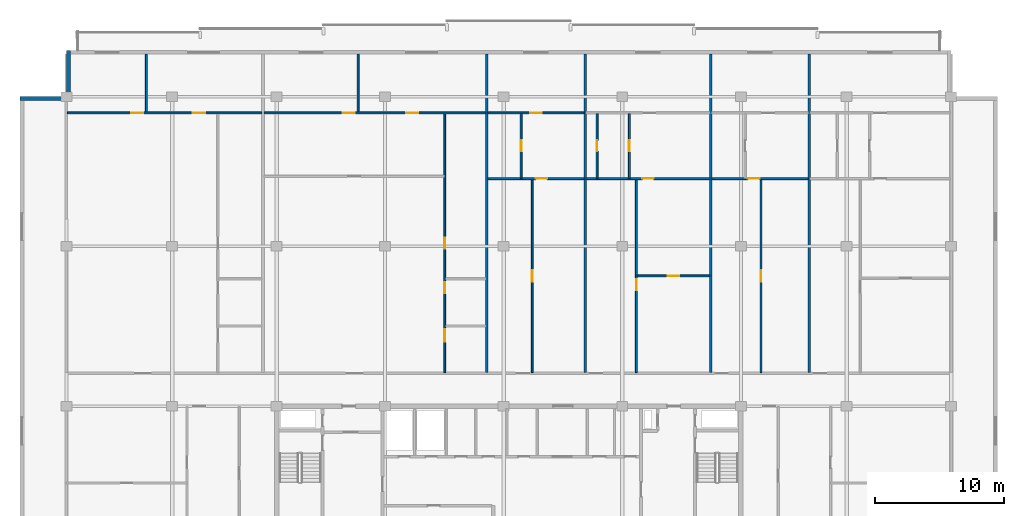
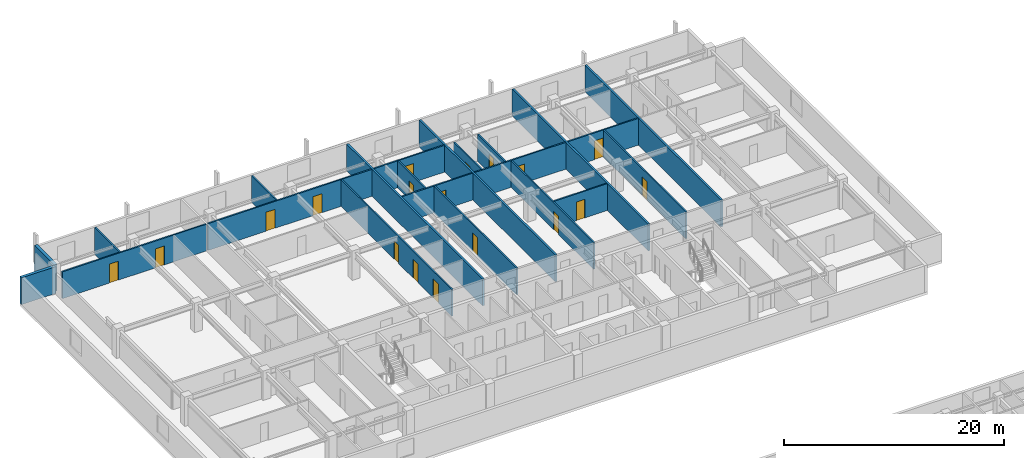
# One storey, part 13 of 21: 22 walls, 18 doors, 18 openings.
"""IFC4 building model written with IfcOpenShell, lengths in metres."""

from ifc_helpers import new_model, si_unit, direction, frame, frame_2d, origin, place, context, subcontext, project, spatial, rectangle, extrude, material, layer, layer_set, type_object, element, fill, save


model = new_model("IFC4")

# Units and contexts
model_context = context("Model", 3, precision=1e-05, world=origin(), true_north=direction((0.0, 1.0)))
body_context = subcontext(model_context, "Body", "Model", "MODEL_VIEW")
ifc_project = project(units=[si_unit("LENGTHUNIT", "METRE"), si_unit("AREAUNIT", "SQUARE_METRE"), si_unit("VOLUMEUNIT", "CUBIC_METRE"), si_unit("PLANEANGLEUNIT", "RADIAN"), si_unit("MASSUNIT", "GRAM", prefix="KILO")], contexts=[model_context])

# Site, building, storey
site_placement = place(None, origin())
site = spatial("IfcSite", under=ifc_project, at=site_placement, CompositionType="ELEMENT")
building_placement = place(site_placement, origin())
building = spatial("IfcBuilding", under=site, at=building_placement, Name="Korimba Cascade Residences", CompositionType="ELEMENT")
storey_placement = place(building_placement, frame((0.0, 0.0, 171.85009765625)))
storey = spatial("IfcBuildingStorey", under=building, at=storey_placement, Name="L49", CompositionType="ELEMENT", Elevation=171.85009765625)

# Walls
ifc_material_1 = material(Name="Precast concrete C40/50", Category="concrete")
ifc_layer_1 = layer(ifc_material_1, 0.300048828125)
ifc_layer_set_1 = layer_set([ifc_layer_1], Name="Precast concrete C40/50")
wall_type_1 = type_object("IfcWallType", Name="EW-STONE-300", PredefinedType="STANDARD", material=ifc_layer_set_1)
for number, where, z_axis, x_axis, name in (
    (1, (59.949951171875, 94.800048828125, 0.0), (0.0, 0.0, 1.0), (0.0, -1.0, 0.0), "L49 T1 Perimeter Stone Wall E07"),
    (2, (59.800048828125, 91.050048828125, 0.0), (0.0, 0.0, 1.0), (-1.0, 0.0, 0.0), "L49 T1 Perimeter Stone Wall E08"),
):
    element("IfcWall", number, at=place(storey_placement, frame(where, z_axis=z_axis, x_axis=x_axis)), inside=storey, type_object=wall_type_1, Name=name, PredefinedType="STANDARD", context=body_context, shape_type="SweptSolid", body=[
        extrude(rectangle(XDim=3.60009765625, YDim=0.300048828125, at=frame_2d((1.800048828125, 0.0))), origin(), (0.0, 0.0, 1.0), 2.969970703125),
    ])
ifc_layer_2 = layer(ifc_material_1, 0.199951171875)
ifc_layer_set_2 = layer_set([ifc_layer_2], Name="Precast concrete C40/50")
wall_type_2 = type_object("IfcWallType", Name="WAL-IT-200", PredefinedType="PARTITIONING", material=ifc_layer_set_2)
for number, where, z_axis, x_axis, name in (
    (3, (92.40478515625, 69.830078125, 0.0), (0.0, 0.0, 1.0), (0.0, 1.0, 0.0), "L49 Partition Wall WAL-L49-T1-DEM-2"),
    (4, (100.023681640625, 69.830078125, 0.0), (0.0, 0.0, 1.0), (0.0, 1.0, 0.0), "L49 Partition Wall WAL-L49-T1-DEM-3"),
    (5, (109.764892578125, 69.830078125, 0.0), (0.0, 0.0, 1.0), (0.0, 1.0, 0.0), "L49 Partition Wall WAL-L49-T1-DEM-4"),
    (6, (117.3837890625, 69.830078125, 0.0), (0.0, 0.0, 1.0), (0.0, 1.0, 0.0), "L49 Partition Wall WAL-L49-T1-DEM-5"),
):
    element("IfcWall", number, at=place(storey_placement, frame(where, z_axis=z_axis, x_axis=x_axis)), inside=storey, type_object=wall_type_2, Name=name, PredefinedType="PARTITIONING", context=body_context, shape_type="SweptSolid", body=[
        extrude(rectangle(XDim=24.669921875, YDim=0.199951171875, at=frame_2d((12.3349609375, 0.0))), origin(), (0.0, 0.0, 1.0), 2.969970703125),
    ])
ifc_material_2 = material(Name="Insulated Acoustic Stud Partition", Category="gypsum")
ifc_layer_3 = layer(ifc_material_2, 0.14990234375)
ifc_layer_set_3 = layer_set([ifc_layer_3], Name="Insulated Acoustic Stud Partition")
wall_type_3 = type_object("IfcWallType", Name="WAL-PART-150", PredefinedType="PARTITIONING", material=ifc_layer_set_3)
wall_1_placement = place(storey_placement, frame((66.000732421875, 90.030029296875, 0.0), z_axis=(0.0, 0.0, 1.0), x_axis=(0.0, 1.0, 0.0)))
element("IfcWall", 7, at=wall_1_placement, inside=storey, type_object=wall_type_3, Name="L49 Partition Wall WAL-L49-T1-U01-OUTV", PredefinedType="PARTITIONING", context=body_context, shape_type="SweptSolid", body=[
    extrude(rectangle(XDim=4.469970703125, YDim=0.14990234375, at=frame_2d((2.23486328125, 0.0))), origin(), (0.0, 0.0, 1.0), 2.969970703125),
])

# Wall, openings, doors
wall_2_placement = place(storey_placement, frame((59.8798828125, 89.949951171875, 0.0), z_axis=(0.0, 0.0, 1.0), x_axis=(1.0, 0.0, 0.0)))
wall_2 = element("IfcWall", 8, at=wall_2_placement, inside=storey, type_object=wall_type_3, Name="L49 Partition Wall WAL-L49-T1-U01-HZ", PredefinedType="PARTITIONING", context=body_context, shape_type="SweptSolid", body=[
    extrude(rectangle(XDim=15.08154296875, YDim=0.14990234375, at=frame_2d((7.540771484375, 0.0))), origin(), (0.0, 0.0, 1.0), 2.969970703125),
])
opening_1_placement = place(wall_2_placement, frame((4.9306640625, 0.0, 0.0)))
opening_1 = element("IfcOpeningElement", 9, at=opening_1_placement, cuts=wall_2, Name="Opening D-IN0", PredefinedType="OPENING", context=body_context, shape_type="SweptSolid", body=[
    extrude(rectangle(XDim=0.93994140625, YDim=2.10009765625, at=frame_2d((0.469970703125, 1.050048828125))), frame((0.0, 0.0849609375, 0.0), z_axis=(0.0, -1.0, 0.0), x_axis=(1.0, 0.0, 0.0)), (0.0, 0.0, 1.0), 0.169921875),
])
opening_2_placement = place(wall_2_placement, frame((9.7333984375, 0.0, 0.0)))
opening_2 = element("IfcOpeningElement", 10, at=opening_2_placement, cuts=wall_2, Name="Opening D-IN0", PredefinedType="OPENING", context=body_context, shape_type="SweptSolid", body=[
    extrude(rectangle(XDim=0.93994140625, YDim=2.10009765625, at=frame_2d((0.469970703125, 1.050048828125))), frame((0.0, 0.0849609375, 0.0), z_axis=(0.0, -1.0, 0.0), x_axis=(1.0, 0.0, 0.0)), (0.0, 0.0, 1.0), 0.169921875),
])
ifc_material_3 = material(Name="Acoustic Timber Living Archway Door", Category="wood")
door_type_1 = type_object("IfcDoorType", Name="DR-INT-950", OperationType="NOTDEFINED", PredefinedType="DOOR", material=ifc_material_3)
door_1_placement = place(opening_1_placement, origin())
door_1 = element("IfcDoor", 11, at=door_1_placement, inside=storey, type_object=door_type_1, Name="L49-T1-U01 Executive Co-Working Office Door", OperationType="SINGLE_SWING_RIGHT", OverallHeight=2.10009765625, OverallWidth=0.93994140625, PredefinedType="DOOR", context=body_context, shape_type="SweptSolid", body=[
    extrude(rectangle(XDim=0.93994140625, YDim=2.10009765625, at=frame_2d((0.469970703125, 1.050048828125))), frame((0.0, 0.02490234375, 0.0), z_axis=(0.0, -1.0, 0.0), x_axis=(1.0, 0.0, 0.0)), (0.0, 0.0, 1.0), 0.050048828125),
])
fill(opening_1, door_1)
door_2_placement = place(opening_2_placement, origin())
door_2 = element("IfcDoor", 12, at=door_2_placement, inside=storey, type_object=door_type_1, Name="L49-T1-U01 Focus Workstation Office Door", OperationType="SINGLE_SWING_LEFT", OverallHeight=2.10009765625, OverallWidth=0.93994140625, PredefinedType="DOOR", context=body_context, shape_type="SweptSolid", body=[
    extrude(rectangle(XDim=0.93994140625, YDim=2.10009765625, at=frame_2d((0.469970703125, 1.050048828125))), frame((0.0, 0.02490234375, 0.0), z_axis=(0.0, -1.0, 0.0), x_axis=(1.0, 0.0, 0.0)), (0.0, 0.0, 1.0), 0.050048828125),
])
fill(opening_2, door_2)

wall_3_placement = place(storey_placement, frame((89.134765625, 69.81005859375, 0.0), z_axis=(0.0, 0.0, 1.0), x_axis=(0.0, 1.0, 0.0)))
wall_3 = element("IfcWall", 13, at=wall_3_placement, inside=storey, type_object=wall_type_3, Name="L49 Partition Wall WAL-L49-T1-U02-WCV", PredefinedType="PARTITIONING", context=body_context, shape_type="SweptSolid", body=[
    extrude(rectangle(XDim=20.079833984375, YDim=0.14990234375, at=frame_2d((10.0400390625, 0.0))), origin(), (0.0, 0.0, 1.0), 2.969970703125),
])
opening_3_placement = place(wall_3_placement, frame((2.406005859375, 0.0, 0.0)))
opening_3 = element("IfcOpeningElement", 14, at=opening_3_placement, cuts=wall_3, Name="Opening D-AC1", PredefinedType="OPENING", context=body_context, shape_type="SweptSolid", body=[
    extrude(rectangle(XDim=0.9599609375, YDim=2.10009765625, at=frame_2d((0.47998046875, 1.050048828125))), frame((0.0, 0.0849609375, 0.0), z_axis=(0.0, -1.0, 0.0), x_axis=(1.0, 0.0, 0.0)), (0.0, 0.0, 1.0), 0.169921875),
])
opening_4_placement = place(wall_3_placement, frame((6.132568359375, 0.0, 0.0)))
opening_4 = element("IfcOpeningElement", 15, at=opening_4_placement, cuts=wall_3, Name="Opening D-IN2", PredefinedType="OPENING", context=body_context, shape_type="SweptSolid", body=[
    extrude(rectangle(XDim=0.8798828125, YDim=2.06005859375, at=frame_2d((0.43994140625, 1.030029296875))), frame((0.0, 0.0849609375, 0.0), z_axis=(0.0, -1.0, 0.0), x_axis=(1.0, 0.0, 0.0)), (0.0, 0.0, 1.0), 0.169921875),
])
opening_5_placement = place(wall_3_placement, frame((9.6201171875, 0.0, 0.0)))
opening_5 = element("IfcOpeningElement", 16, at=opening_5_placement, cuts=wall_3, Name="Opening D-BT1", PredefinedType="OPENING", context=body_context, shape_type="SweptSolid", body=[
    extrude(rectangle(XDim=0.840087890625, YDim=2.0400390625, at=frame_2d((0.419921875, 1.02001953125))), frame((0.0, 0.0849609375, 0.0), z_axis=(0.0, -1.0, 0.0), x_axis=(1.0, 0.0, 0.0)), (0.0, 0.0, 1.0), 0.169921875),
])
ifc_material_4 = material(Name="Accessible Acoustic Timber WC Door", Category="wood")
door_type_2 = type_object("IfcDoorType", Name="DR-ACC-950", OperationType="NOTDEFINED", PredefinedType="DOOR", material=ifc_material_4)
door_3_placement = place(opening_3_placement, origin())
door_3 = element("IfcDoor", 17, at=door_3_placement, inside=storey, type_object=door_type_2, Name="L49-T1-U02 Accessible WC Door", OperationType="SINGLE_SWING_LEFT", OverallHeight=2.10009765625, OverallWidth=0.9599609375, PredefinedType="DOOR", context=body_context, shape_type="SweptSolid", body=[
    extrude(rectangle(XDim=0.9599609375, YDim=2.10009765625, at=frame_2d((0.47998046875, 1.050048828125))), frame((0.0, 0.02490234375, 0.0), z_axis=(0.0, -1.0, 0.0), x_axis=(1.0, 0.0, 0.0)), (0.0, 0.0, 1.0), 0.050048828125),
])
fill(opening_3, door_3)
ifc_material_5 = material(Name="Moisture-Resistant Bathroom Timber Door", Category="wood")
door_type_3 = type_object("IfcDoorType", Name="DR-INT-850", OperationType="NOTDEFINED", PredefinedType="DOOR", material=ifc_material_5)
door_4_placement = place(opening_5_placement, origin())
door_4 = element("IfcDoor", 18, at=door_4_placement, inside=storey, type_object=door_type_3, Name="L49-T1-U02 Suite Store Door", OperationType="SINGLE_SWING_LEFT", OverallHeight=2.0400390625, OverallWidth=0.840087890625, PredefinedType="DOOR", context=body_context, shape_type="SweptSolid", body=[
    extrude(rectangle(XDim=0.840087890625, YDim=2.0400390625, at=frame_2d((0.419921875, 1.02001953125))), frame((0.0, 0.02490234375, 0.0), z_axis=(0.0, -1.0, 0.0), x_axis=(1.0, 0.0, 0.0)), (0.0, 0.0, 1.0), 0.050048828125),
])
fill(opening_5, door_4)
ifc_material_6 = material(Name="Acoustic Timber Bedroom Door", Category="wood")
door_type_4 = type_object("IfcDoorType", Name="DR-INT-880", OperationType="NOTDEFINED", PredefinedType="DOOR", material=ifc_material_6)
door_5_placement = place(opening_4_placement, origin())
door_5 = element("IfcDoor", 19, at=door_5_placement, inside=storey, type_object=door_type_4, Name="L49-T1-U02 Restroom WC Door", OperationType="SINGLE_SWING_RIGHT", OverallHeight=2.06005859375, OverallWidth=0.8798828125, PredefinedType="DOOR", context=body_context, shape_type="SweptSolid", body=[
    extrude(rectangle(XDim=0.8798828125, YDim=2.06005859375, at=frame_2d((0.43994140625, 1.030029296875))), frame((0.0, 0.02490234375, 0.0), z_axis=(0.0, -1.0, 0.0), x_axis=(1.0, 0.0, 0.0)), (0.0, 0.0, 1.0), 0.050048828125),
])
fill(opening_4, door_5)

# Wall
wall_4_placement = place(storey_placement, frame((82.41796875, 90.030029296875, 0.0), z_axis=(0.0, 0.0, 1.0), x_axis=(0.0, 1.0, 0.0)))
element("IfcWall", 20, at=wall_4_placement, inside=storey, type_object=wall_type_3, Name="L49 Partition Wall WAL-L49-T1-U02-OUTV", PredefinedType="PARTITIONING", context=body_context, shape_type="SweptSolid", body=[
    extrude(rectangle(XDim=4.469970703125, YDim=0.14990234375, at=frame_2d((2.23486328125, 0.0))), origin(), (0.0, 0.0, 1.0), 2.969970703125),
])

# Wall, openings, doors
wall_5_placement = place(storey_placement, frame((75.121337890625, 89.949951171875, 0.0), z_axis=(0.0, 0.0, 1.0), x_axis=(1.0, 0.0, 0.0)))
wall_5 = element("IfcWall", 21, at=wall_5_placement, inside=storey, type_object=wall_type_3, Name="L49 Partition Wall WAL-L49-T1-U02-HZ", PredefinedType="PARTITIONING", context=body_context, shape_type="SweptSolid", body=[
    extrude(rectangle(XDim=17.203369140625, YDim=0.14990234375, at=frame_2d((8.6015625, 0.0))), origin(), (0.0, 0.0, 1.0), 2.969970703125),
])
opening_6_placement = place(wall_5_placement, frame((6.106689453125, 0.0, 0.0)))
opening_6 = element("IfcOpeningElement", 22, at=opening_6_placement, cuts=wall_5, Name="Opening D-IN0", PredefinedType="OPENING", context=body_context, shape_type="SweptSolid", body=[
    extrude(rectangle(XDim=0.93994140625, YDim=2.10009765625, at=frame_2d((0.469970703125, 1.050048828125))), frame((0.0, 0.0849609375, 0.0), z_axis=(0.0, -1.0, 0.0), x_axis=(1.0, 0.0, 0.0)), (0.0, 0.0, 1.0), 0.169921875),
])
opening_7_placement = place(wall_5_placement, frame((11.029296875, 0.0, 0.0)))
opening_7 = element("IfcOpeningElement", 23, at=opening_7_placement, cuts=wall_5, Name="Opening D-IN0", PredefinedType="OPENING", context=body_context, shape_type="SweptSolid", body=[
    extrude(rectangle(XDim=0.93994140625, YDim=2.10009765625, at=frame_2d((0.469970703125, 1.050048828125))), frame((0.0, 0.0849609375, 0.0), z_axis=(0.0, -1.0, 0.0), x_axis=(1.0, 0.0, 0.0)), (0.0, 0.0, 1.0), 0.169921875),
])
door_6_placement = place(opening_6_placement, origin())
door_6 = element("IfcDoor", 24, at=door_6_placement, inside=storey, type_object=door_type_1, Name="L49-T1-U02 Hydrotherapy Wellness Clinic Door", OperationType="SINGLE_SWING_RIGHT", OverallHeight=2.10009765625, OverallWidth=0.93994140625, PredefinedType="DOOR", context=body_context, shape_type="SweptSolid", body=[
    extrude(rectangle(XDim=0.93994140625, YDim=2.10009765625, at=frame_2d((0.469970703125, 1.050048828125))), frame((0.0, 0.02490234375, 0.0), z_axis=(0.0, -1.0, 0.0), x_axis=(1.0, 0.0, 0.0)), (0.0, 0.0, 1.0), 0.050048828125),
])
fill(opening_6, door_6)
door_7_placement = place(opening_7_placement, origin())
door_7 = element("IfcDoor", 25, at=door_7_placement, inside=storey, type_object=door_type_1, Name="L49-T1-U02 Physiotherapy Treatment Room Door", OperationType="SINGLE_SWING_LEFT", OverallHeight=2.10009765625, OverallWidth=0.93994140625, PredefinedType="DOOR", context=body_context, shape_type="SweptSolid", body=[
    extrude(rectangle(XDim=0.93994140625, YDim=2.10009765625, at=frame_2d((0.469970703125, 1.050048828125))), frame((0.0, 0.02490234375, 0.0), z_axis=(0.0, -1.0, 0.0), x_axis=(1.0, 0.0, 0.0)), (0.0, 0.0, 1.0), 0.050048828125),
])
fill(opening_7, door_7)

# Wall, opening, door
wall_6_placement = place(storey_placement, frame((95.919189453125, 69.81005859375, 0.0), z_axis=(0.0, 0.0, 1.0), x_axis=(0.0, 1.0, 0.0)))
wall_6 = element("IfcWall", 26, at=wall_6_placement, inside=storey, type_object=wall_type_3, Name="L49 Partition Wall WAL-L49-T1-U03-FV", PredefinedType="PARTITIONING", context=body_context, shape_type="SweptSolid", body=[
    extrude(rectangle(XDim=15.0, YDim=0.14990234375, at=frame_2d((7.5, 0.0))), origin(), (0.0, 0.0, 1.0), 2.969970703125),
])
opening_8_placement = place(wall_6_placement, frame((7.06005859375, 0.0, 0.0)))
opening_8 = element("IfcOpeningElement", 27, at=opening_8_placement, cuts=wall_6, Name="Opening D-IN2", PredefinedType="OPENING", context=body_context, shape_type="SweptSolid", body=[
    extrude(rectangle(XDim=0.8798828125, YDim=2.06005859375, at=frame_2d((0.43994140625, 1.030029296875))), frame((0.0, 0.0849609375, 0.0), z_axis=(0.0, -1.0, 0.0), x_axis=(1.0, 0.0, 0.0)), (0.0, 0.0, 1.0), 0.169921875),
])
door_8_placement = place(opening_8_placement, origin())
door_8 = element("IfcDoor", 28, at=door_8_placement, inside=storey, type_object=door_type_4, Name="L49-T1-U03 Media Lounge Door", OperationType="SINGLE_SWING_RIGHT", OverallHeight=2.06005859375, OverallWidth=0.8798828125, PredefinedType="DOOR", context=body_context, shape_type="SweptSolid", body=[
    extrude(rectangle(XDim=0.8798828125, YDim=2.06005859375, at=frame_2d((0.43994140625, 1.030029296875))), frame((0.0, 0.02490234375, 0.0), z_axis=(0.0, -1.0, 0.0), x_axis=(1.0, 0.0, 0.0)), (0.0, 0.0, 1.0), 0.050048828125),
])
fill(opening_8, door_8)

wall_7_placement = place(storey_placement, frame((95.064697265625, 84.889892578125, 0.0), z_axis=(0.0, 0.0, 1.0), x_axis=(0.0, 1.0, 0.0)))
wall_7 = element("IfcWall", 29, at=wall_7_placement, inside=storey, type_object=wall_type_3, Name="L49 Partition Wall WAL-L49-T1-U03-BM", PredefinedType="PARTITIONING", context=body_context, shape_type="SweptSolid", body=[
    extrude(rectangle(XDim=5.0, YDim=0.14990234375, at=frame_2d((2.5, 0.0))), origin(), (0.0, 0.0, 1.0), 2.969970703125),
])
opening_9_placement = place(wall_7_placement, frame((2.080078125, 0.0, 0.0)))
opening_9 = element("IfcOpeningElement", 30, at=opening_9_placement, cuts=wall_7, Name="Opening D-BT1", PredefinedType="OPENING", context=body_context, shape_type="SweptSolid", body=[
    extrude(rectangle(XDim=0.840087890625, YDim=2.0400390625, at=frame_2d((0.419921875, 1.02001953125))), frame((0.0, 0.0849609375, 0.0), z_axis=(0.0, -1.0, 0.0), x_axis=(1.0, 0.0, 0.0)), (0.0, 0.0, 1.0), 0.169921875),
])
door_9_placement = place(opening_9_placement, origin())
door_9 = element("IfcDoor", 31, at=door_9_placement, inside=storey, type_object=door_type_3, Name="L49-T1-U03 Bathroom Door", OperationType="SINGLE_SWING_LEFT", OverallHeight=2.0400390625, OverallWidth=0.840087890625, PredefinedType="DOOR", context=body_context, shape_type="SweptSolid", body=[
    extrude(rectangle(XDim=0.840087890625, YDim=2.0400390625, at=frame_2d((0.419921875, 1.02001953125))), frame((0.0, 0.02490234375, 0.0), z_axis=(0.0, -1.0, 0.0), x_axis=(1.0, 0.0, 0.0)), (0.0, 0.0, 1.0), 0.050048828125),
])
fill(opening_9, door_9)

wall_8_placement = place(storey_placement, frame((92.484619140625, 84.85009765625, 0.0), z_axis=(0.0, 0.0, 1.0), x_axis=(1.0, 0.0, 0.0)))
wall_8 = element("IfcWall", 32, at=wall_8_placement, inside=storey, type_object=wall_type_3, Name="L49 Partition Wall WAL-L49-T1-U03-MW", PredefinedType="PARTITIONING", context=body_context, shape_type="SweptSolid", body=[
    extrude(rectangle(XDim=7.459228515625, YDim=0.14990234375, at=frame_2d((3.7294921875, 0.0))), origin(), (0.0, 0.0, 1.0), 2.969970703125),
])
opening_10_placement = place(wall_8_placement, frame((3.69677734375, 0.0, 0.0)))
opening_10 = element("IfcOpeningElement", 33, at=opening_10_placement, cuts=wall_8, Name="Opening D-IN1", PredefinedType="OPENING", context=body_context, shape_type="SweptSolid", body=[
    extrude(rectangle(XDim=0.919921875, YDim=2.080078125, at=frame_2d((0.4599609375, 1.0400390625))), frame((0.0, 0.0849609375, 0.0), z_axis=(0.0, -1.0, 0.0), x_axis=(1.0, 0.0, 0.0)), (0.0, 0.0, 1.0), 0.169921875),
])
ifc_material_7 = material(Name="Acoustic Timber Living Door", Category="wood")
door_type_5 = type_object("IfcDoorType", Name="DR-INT-920", OperationType="NOTDEFINED", PredefinedType="DOOR", material=ifc_material_7)
door_10_placement = place(opening_10_placement, origin())
door_10 = element("IfcDoor", 34, at=door_10_placement, inside=storey, type_object=door_type_5, Name="L49-T1-U03 Studio Kitchen Door", OperationType="SINGLE_SWING_RIGHT", OverallHeight=2.080078125, OverallWidth=0.919921875, PredefinedType="DOOR", context=body_context, shape_type="SweptSolid", body=[
    extrude(rectangle(XDim=0.919921875, YDim=2.080078125, at=frame_2d((0.4599609375, 1.0400390625))), frame((0.0, 0.02490234375, 0.0), z_axis=(0.0, -1.0, 0.0), x_axis=(1.0, 0.0, 0.0)), (0.0, 0.0, 1.0), 0.050048828125),
])
fill(opening_10, door_10)

wall_9_placement = place(storey_placement, frame((92.484619140625, 89.949951171875, 0.0), z_axis=(0.0, 0.0, 1.0), x_axis=(1.0, 0.0, 0.0)))
wall_9 = element("IfcWall", 35, at=wall_9_placement, inside=storey, type_object=wall_type_3, Name="L49 Partition Wall WAL-L49-T1-U03-HZ", PredefinedType="PARTITIONING", context=body_context, shape_type="SweptSolid", body=[
    extrude(rectangle(XDim=7.459228515625, YDim=0.14990234375, at=frame_2d((3.7294921875, 0.0))), origin(), (0.0, 0.0, 1.0), 2.969970703125),
])
opening_11_placement = place(wall_9_placement, frame((3.26953125, 0.0, 0.0)))
opening_11 = element("IfcOpeningElement", 36, at=opening_11_placement, cuts=wall_9, Name="Opening D-IN1", PredefinedType="OPENING", context=body_context, shape_type="SweptSolid", body=[
    extrude(rectangle(XDim=0.919921875, YDim=2.080078125, at=frame_2d((0.4599609375, 1.0400390625))), frame((0.0, 0.0849609375, 0.0), z_axis=(0.0, -1.0, 0.0), x_axis=(1.0, 0.0, 0.0)), (0.0, 0.0, 1.0), 0.169921875),
])
door_11_placement = place(opening_11_placement, origin())
door_11 = element("IfcDoor", 37, at=door_11_placement, inside=storey, type_object=door_type_5, Name="L49-T1-U03 Studio Door", OperationType="SINGLE_SWING_LEFT", OverallHeight=2.080078125, OverallWidth=0.919921875, PredefinedType="DOOR", context=body_context, shape_type="SweptSolid", body=[
    extrude(rectangle(XDim=0.919921875, YDim=2.080078125, at=frame_2d((0.4599609375, 1.0400390625))), frame((0.0, 0.02490234375, 0.0), z_axis=(0.0, -1.0, 0.0), x_axis=(1.0, 0.0, 0.0)), (0.0, 0.0, 1.0), 0.050048828125),
])
fill(opening_11, door_11)

wall_10_placement = place(storey_placement, frame((104.0537109375, 77.31005859375, 0.0), z_axis=(0.0, 0.0, 1.0), x_axis=(1.0, 0.0, 0.0)))
wall_10 = element("IfcWall", 38, at=wall_10_placement, inside=storey, type_object=wall_type_3, Name="L49 Partition Wall WAL-L49-T1-U04-FMH", PredefinedType="PARTITIONING", context=body_context, shape_type="SweptSolid", body=[
    extrude(rectangle(XDim=5.631103515625, YDim=0.14990234375, at=frame_2d((2.8154296875, 0.0))), origin(), (0.0, 0.0, 1.0), 2.969970703125),
])
opening_12_placement = place(wall_10_placement, frame((2.37548828125, 0.0, 0.0)))
opening_12 = element("IfcOpeningElement", 39, at=opening_12_placement, cuts=wall_10, Name="Opening D-IN2", PredefinedType="OPENING", context=body_context, shape_type="SweptSolid", body=[
    extrude(rectangle(XDim=0.8798828125, YDim=2.06005859375, at=frame_2d((0.43994140625, 1.030029296875))), frame((0.0, 0.0849609375, 0.0), z_axis=(0.0, -1.0, 0.0), x_axis=(1.0, 0.0, 0.0)), (0.0, 0.0, 1.0), 0.169921875),
])
door_12_placement = place(opening_12_placement, origin())
door_12 = element("IfcDoor", 40, at=door_12_placement, inside=storey, type_object=door_type_4, Name="L49-T1-U04 Library Salon Door", OperationType="SINGLE_SWING_RIGHT", OverallHeight=2.06005859375, OverallWidth=0.8798828125, PredefinedType="DOOR", context=body_context, shape_type="SweptSolid", body=[
    extrude(rectangle(XDim=0.8798828125, YDim=2.06005859375, at=frame_2d((0.43994140625, 1.030029296875))), frame((0.0, 0.02490234375, 0.0), z_axis=(0.0, -1.0, 0.0), x_axis=(1.0, 0.0, 0.0)), (0.0, 0.0, 1.0), 0.050048828125),
])
fill(opening_12, door_12)

wall_11_placement = place(storey_placement, frame((103.993896484375, 69.81005859375, 0.0), z_axis=(0.0, 0.0, 1.0), x_axis=(0.0, 1.0, 0.0)))
wall_11 = element("IfcWall", 41, at=wall_11_placement, inside=storey, type_object=wall_type_3, Name="L49 Partition Wall WAL-L49-T1-U04-FV", PredefinedType="PARTITIONING", context=body_context, shape_type="SweptSolid", body=[
    extrude(rectangle(XDim=15.0, YDim=0.14990234375, at=frame_2d((7.5, 0.0))), origin(), (0.0, 0.0, 1.0), 2.969970703125),
])
opening_13_placement = place(wall_11_placement, frame((6.3701171875, 0.0, 0.0)))
opening_13 = element("IfcOpeningElement", 42, at=opening_13_placement, cuts=wall_11, Name="Opening D-IN2", PredefinedType="OPENING", context=body_context, shape_type="SweptSolid", body=[
    extrude(rectangle(XDim=0.8798828125, YDim=2.06005859375, at=frame_2d((0.43994140625, 1.030029296875))), frame((0.0, 0.0849609375, 0.0), z_axis=(0.0, -1.0, 0.0), x_axis=(1.0, 0.0, 0.0)), (0.0, 0.0, 1.0), 0.169921875),
])
door_13_placement = place(opening_13_placement, origin())
door_13 = element("IfcDoor", 43, at=door_13_placement, inside=storey, type_object=door_type_4, Name="L49-T1-U04 Media Lounge Door", OperationType="SINGLE_SWING_LEFT", OverallHeight=2.06005859375, OverallWidth=0.8798828125, PredefinedType="DOOR", context=body_context, shape_type="SweptSolid", body=[
    extrude(rectangle(XDim=0.8798828125, YDim=2.06005859375, at=frame_2d((0.43994140625, 1.030029296875))), frame((0.0, 0.02490234375, 0.0), z_axis=(0.0, -1.0, 0.0), x_axis=(1.0, 0.0, 0.0)), (0.0, 0.0, 1.0), 0.050048828125),
])
fill(opening_13, door_13)

wall_12_placement = place(storey_placement, frame((100.94482421875, 84.889892578125, 0.0), z_axis=(0.0, 0.0, 1.0), x_axis=(0.0, 1.0, 0.0)))
wall_12 = element("IfcWall", 44, at=wall_12_placement, inside=storey, type_object=wall_type_3, Name="L49 Partition Wall WAL-L49-T1-U04-CLS", PredefinedType="PARTITIONING", context=body_context, shape_type="SweptSolid", body=[
    extrude(rectangle(XDim=5.0, YDim=0.14990234375, at=frame_2d((2.5, 0.0))), origin(), (0.0, 0.0, 1.0), 2.969970703125),
])
opening_14_placement = place(wall_12_placement, frame((2.080078125, 0.0, 0.0)))
opening_14 = element("IfcOpeningElement", 45, at=opening_14_placement, cuts=wall_12, Name="Opening D-BT1", PredefinedType="OPENING", context=body_context, shape_type="SweptSolid", body=[
    extrude(rectangle(XDim=0.840087890625, YDim=2.0400390625, at=frame_2d((0.419921875, 1.02001953125))), frame((0.0, 0.0849609375, 0.0), z_axis=(0.0, -1.0, 0.0), x_axis=(1.0, 0.0, 0.0)), (0.0, 0.0, 1.0), 0.169921875),
])
door_14_placement = place(opening_14_placement, origin())
door_14 = element("IfcDoor", 46, at=door_14_placement, inside=storey, type_object=door_type_3, Name="L49-T1-U04 Closet Door", OperationType="SINGLE_SWING_RIGHT", OverallHeight=2.0400390625, OverallWidth=0.840087890625, PredefinedType="DOOR", context=body_context, shape_type="SweptSolid", body=[
    extrude(rectangle(XDim=0.840087890625, YDim=2.0400390625, at=frame_2d((0.419921875, 1.02001953125))), frame((0.0, 0.02490234375, 0.0), z_axis=(0.0, -1.0, 0.0), x_axis=(1.0, 0.0, 0.0)), (0.0, 0.0, 1.0), 0.050048828125),
])
fill(opening_14, door_14)

wall_13_placement = place(storey_placement, frame((103.44482421875, 84.889892578125, 0.0), z_axis=(0.0, 0.0, 1.0), x_axis=(0.0, 1.0, 0.0)))
wall_13 = element("IfcWall", 47, at=wall_13_placement, inside=storey, type_object=wall_type_3, Name="L49 Partition Wall WAL-L49-T1-U04-BM", PredefinedType="PARTITIONING", context=body_context, shape_type="SweptSolid", body=[
    extrude(rectangle(XDim=5.0, YDim=0.14990234375, at=frame_2d((2.5, 0.0))), origin(), (0.0, 0.0, 1.0), 2.969970703125),
])
opening_15_placement = place(wall_13_placement, frame((2.080078125, 0.0, 0.0)))
opening_15 = element("IfcOpeningElement", 48, at=opening_15_placement, cuts=wall_13, Name="Opening D-BT1", PredefinedType="OPENING", context=body_context, shape_type="SweptSolid", body=[
    extrude(rectangle(XDim=0.840087890625, YDim=2.0400390625, at=frame_2d((0.419921875, 1.02001953125))), frame((0.0, 0.0849609375, 0.0), z_axis=(0.0, -1.0, 0.0), x_axis=(1.0, 0.0, 0.0)), (0.0, 0.0, 1.0), 0.169921875),
])
door_15_placement = place(opening_15_placement, origin())
door_15 = element("IfcDoor", 49, at=door_15_placement, inside=storey, type_object=door_type_3, Name="L49-T1-U04 Bathroom Door", OperationType="SINGLE_SWING_LEFT", OverallHeight=2.0400390625, OverallWidth=0.840087890625, PredefinedType="DOOR", context=body_context, shape_type="SweptSolid", body=[
    extrude(rectangle(XDim=0.840087890625, YDim=2.0400390625, at=frame_2d((0.419921875, 1.02001953125))), frame((0.0, 0.02490234375, 0.0), z_axis=(0.0, -1.0, 0.0), x_axis=(1.0, 0.0, 0.0)), (0.0, 0.0, 1.0), 0.050048828125),
])
fill(opening_15, door_15)

wall_14_placement = place(storey_placement, frame((100.103759765625, 84.85009765625, 0.0), z_axis=(0.0, 0.0, 1.0), x_axis=(1.0, 0.0, 0.0)))
wall_14 = element("IfcWall", 50, at=wall_14_placement, inside=storey, type_object=wall_type_3, Name="L49 Partition Wall WAL-L49-T1-U04-MW", PredefinedType="PARTITIONING", context=body_context, shape_type="SweptSolid", body=[
    extrude(rectangle(XDim=9.5810546875, YDim=0.14990234375, at=frame_2d((4.79052734375, 0.0))), origin(), (0.0, 0.0, 1.0), 2.969970703125),
])
opening_16_placement = place(wall_14_placement, frame((4.33056640625, 0.0, 0.0)))
opening_16 = element("IfcOpeningElement", 51, at=opening_16_placement, cuts=wall_14, Name="Opening D-IN1", PredefinedType="OPENING", context=body_context, shape_type="SweptSolid", body=[
    extrude(rectangle(XDim=0.919921875, YDim=2.080078125, at=frame_2d((0.4599609375, 1.0400390625))), frame((0.0, 0.0849609375, 0.0), z_axis=(0.0, -1.0, 0.0), x_axis=(1.0, 0.0, 0.0)), (0.0, 0.0, 1.0), 0.169921875),
])
door_16_placement = place(opening_16_placement, origin())
door_16 = element("IfcDoor", 52, at=door_16_placement, inside=storey, type_object=door_type_5, Name="L49-T1-U04 Studio Kitchen Door", OperationType="SINGLE_SWING_RIGHT", OverallHeight=2.080078125, OverallWidth=0.919921875, PredefinedType="DOOR", context=body_context, shape_type="SweptSolid", body=[
    extrude(rectangle(XDim=0.919921875, YDim=2.080078125, at=frame_2d((0.4599609375, 1.0400390625))), frame((0.0, 0.02490234375, 0.0), z_axis=(0.0, -1.0, 0.0), x_axis=(1.0, 0.0, 0.0)), (0.0, 0.0, 1.0), 0.050048828125),
])
fill(opening_16, door_16)

wall_15_placement = place(storey_placement, frame((113.6591796875, 69.81005859375, 0.0), z_axis=(0.0, 0.0, 1.0), x_axis=(0.0, 1.0, 0.0)))
wall_15 = element("IfcWall", 53, at=wall_15_placement, inside=storey, type_object=wall_type_3, Name="L49 Partition Wall WAL-L49-T1-U05-FV", PredefinedType="PARTITIONING", context=body_context, shape_type="SweptSolid", body=[
    extrude(rectangle(XDim=15.0, YDim=0.14990234375, at=frame_2d((7.5, 0.0))), origin(), (0.0, 0.0, 1.0), 2.969970703125),
])
opening_17_placement = place(wall_15_placement, frame((7.06005859375, 0.0, 0.0)))
opening_17 = element("IfcOpeningElement", 54, at=opening_17_placement, cuts=wall_15, Name="Opening D-IN2", PredefinedType="OPENING", context=body_context, shape_type="SweptSolid", body=[
    extrude(rectangle(XDim=0.8798828125, YDim=2.06005859375, at=frame_2d((0.43994140625, 1.030029296875))), frame((0.0, 0.0849609375, 0.0), z_axis=(0.0, -1.0, 0.0), x_axis=(1.0, 0.0, 0.0)), (0.0, 0.0, 1.0), 0.169921875),
])
door_17_placement = place(opening_17_placement, origin())
door_17 = element("IfcDoor", 55, at=door_17_placement, inside=storey, type_object=door_type_4, Name="L49-T1-U05 Media Lounge Door", OperationType="SINGLE_SWING_RIGHT", OverallHeight=2.06005859375, OverallWidth=0.8798828125, PredefinedType="DOOR", context=body_context, shape_type="SweptSolid", body=[
    extrude(rectangle(XDim=0.8798828125, YDim=2.06005859375, at=frame_2d((0.43994140625, 1.030029296875))), frame((0.0, 0.02490234375, 0.0), z_axis=(0.0, -1.0, 0.0), x_axis=(1.0, 0.0, 0.0)), (0.0, 0.0, 1.0), 0.050048828125),
])
fill(opening_17, door_17)

wall_16_placement = place(storey_placement, frame((109.8447265625, 84.85009765625, 0.0), z_axis=(0.0, 0.0, 1.0), x_axis=(1.0, 0.0, 0.0)))
wall_16 = element("IfcWall", 56, at=wall_16_placement, inside=storey, type_object=wall_type_3, Name="L49 Partition Wall WAL-L49-T1-U05-MW", PredefinedType="PARTITIONING", context=body_context, shape_type="SweptSolid", body=[
    extrude(rectangle(XDim=7.459228515625, YDim=0.14990234375, at=frame_2d((3.7294921875, 0.0))), origin(), (0.0, 0.0, 1.0), 2.969970703125),
])
opening_18_placement = place(wall_16_placement, frame((2.800048828125, 0.0, 0.0)))
opening_18 = element("IfcOpeningElement", 57, at=opening_18_placement, cuts=wall_16, Name="Opening D-IN1", PredefinedType="OPENING", context=body_context, shape_type="SweptSolid", body=[
    extrude(rectangle(XDim=0.919921875, YDim=2.080078125, at=frame_2d((0.4599609375, 1.0400390625))), frame((0.0, 0.0849609375, 0.0), z_axis=(0.0, -1.0, 0.0), x_axis=(1.0, 0.0, 0.0)), (0.0, 0.0, 1.0), 0.169921875),
])
door_18_placement = place(opening_18_placement, origin())
door_18 = element("IfcDoor", 58, at=door_18_placement, inside=storey, type_object=door_type_5, Name="L49-T1-U05 Studio Kitchen Door", OperationType="SINGLE_SWING_RIGHT", OverallHeight=2.080078125, OverallWidth=0.919921875, PredefinedType="DOOR", context=body_context, shape_type="SweptSolid", body=[
    extrude(rectangle(XDim=0.919921875, YDim=2.080078125, at=frame_2d((0.4599609375, 1.0400390625))), frame((0.0, 0.02490234375, 0.0), z_axis=(0.0, -1.0, 0.0), x_axis=(1.0, 0.0, 0.0)), (0.0, 0.0, 1.0), 0.050048828125),
])
fill(opening_18, door_18)

save(model, "model.ifc")
